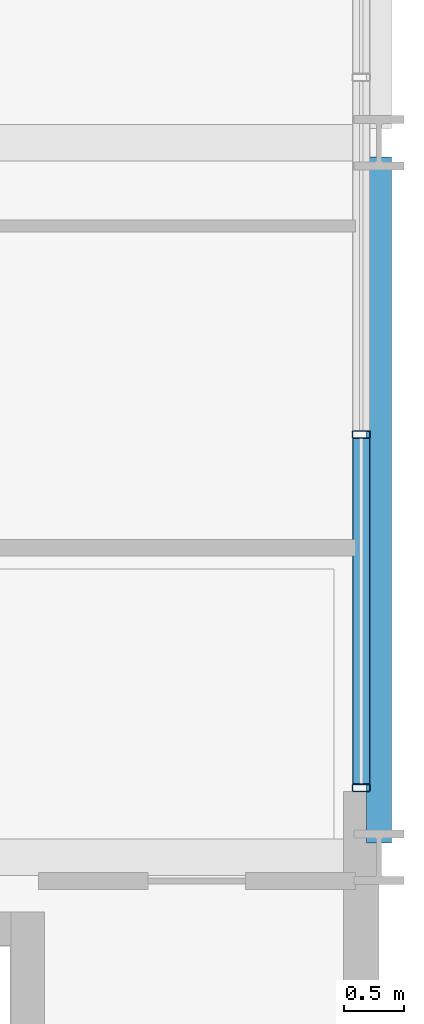
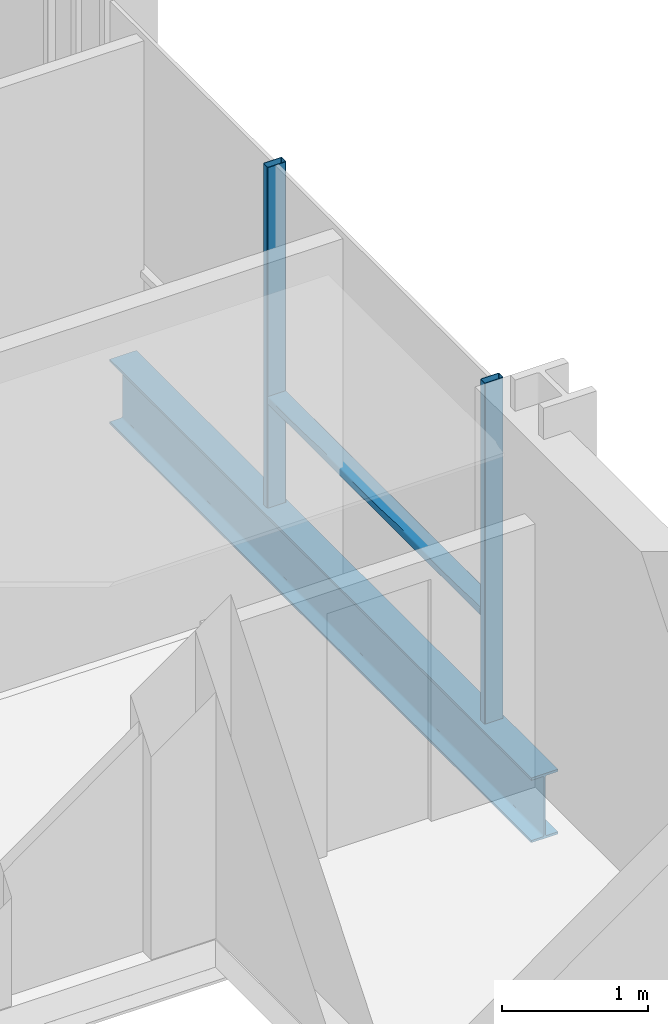
# One storey, part 15 of 41: 3 members, 1 beam, 1 element without a shape of its own.
"""IFC4 building model written with IfcOpenShell, lengths in metres."""

from ifc_helpers import new_model, si_unit, direction, frame, origin, origin_2d, place, context, subcontext, project, spatial, hollow_rectangle, i_section, extrude, material, layer, layer_set, material_profile, profile_set, type_object, element, aggregate, save


model = new_model("IFC4")

# Units and contexts
model_context = context("Model", 3, precision=1e-05, world=origin(), true_north=direction((0.0, 1.0)))
body_context = subcontext(model_context, "Body", "Model", "MODEL_VIEW")
ifc_project = project(units=[si_unit("LENGTHUNIT", "METRE"), si_unit("AREAUNIT", "SQUARE_METRE"), si_unit("VOLUMEUNIT", "CUBIC_METRE"), si_unit("PLANEANGLEUNIT", "RADIAN"), si_unit("MASSUNIT", "GRAM", prefix="KILO")], contexts=[model_context])

# Site, building, storey
site_placement = place(None, origin())
site = spatial("IfcSite", under=ifc_project, at=site_placement, CompositionType="ELEMENT")
building_placement = place(site_placement, origin())
building = spatial("IfcBuilding", under=site, at=building_placement, Name="Brevholm Reach", CompositionType="ELEMENT")
storey_placement = place(building_placement, frame((0.0, 0.0, 93.10009765625)))
storey = spatial("IfcBuildingStorey", under=building, at=storey_placement, Name="L27", CompositionType="ELEMENT", Elevation=93.10009765625)

# Beam
ifc_material_1 = material(Name="Structural Steel S355J2", Category="steel")
ifc_material_profile_1 = material_profile(ifc_material_1, i_section(OverallWidth=0.210693359375, OverallDepth=0.53955078125, WebThickness=0.01171875, FlangeThickness=0.018798828125, FilletRadius=0.0126953125, at=origin_2d()), Name="UKB 533x210x109")
ifc_profile_set_1 = profile_set([ifc_material_profile_1], Name="Structural Steel S355J2")
beam_type = type_object("IfcBeamType", Name="BM-SP539", PredefinedType="SPANDREL", material=ifc_profile_set_1)
beam_placement = place(storey_placement, frame((60.0, 10.1201171875, -0.499755859375), z_axis=(0.0, 1.0, 0.0), x_axis=(-1.0, 0.0, 0.0)))
element("IfcBeam", 1, at=beam_placement, inside=storey, type_object=beam_type, Name="L27 SP-01B Framing Beam", PredefinedType="SPANDREL", context=body_context, shape_type="SweptSolid", body=[
    extrude(i_section(OverallWidth=0.210693359375, OverallDepth=0.53955078125, WebThickness=0.01171875, FlangeThickness=0.018798828125, FilletRadius=0.0126953125, at=origin_2d()), origin(), (0.0, 0.0, 1.0), 5.759765625),
])

# Curtain wall, members
ifc_material_2 = material(Name="Dark Anodised Aluminium 6063-T6 and Solar-Control Glass", Category="aluminium")
ifc_layer = layer(ifc_material_2, 0.14990234375)
ifc_layer_set = layer_set([ifc_layer], Name="Dark Anodised Aluminium 6063-T6 and Solar-Control Glass")
curtain_wall_type = type_object("IfcCurtainWallType", Name="CW-01", PredefinedType="NOTDEFINED", material=ifc_layer_set)
curtain_wall_placement = place(storey_placement, origin())
curtain_wall = element("IfcCurtainWall", 2, at=curtain_wall_placement, inside=storey, type_object=curtain_wall_type, Name="L27 Curtain Wall CW-01", PredefinedType="NOTDEFINED")
ifc_material_3 = material(Name="Dark Anodised Aluminium 6063-T6", Category="aluminium")
ifc_material_profile_2 = material_profile(ifc_material_3, hollow_rectangle(XDim=0.06494140625, YDim=0.14990234375, WallThickness=0.0048828125, InnerFilletRadius=0.0048828125, OuterFilletRadius=0.010009765625, at=origin_2d()), Name="RHS 150x65x5")
ifc_profile_set_2 = profile_set([ifc_material_profile_2], Name="Dark Anodised Aluminium 6063-T6")
member_type_1 = type_object("IfcMemberType", Name="CWM-150", PredefinedType="MULLION", material=ifc_profile_set_2)
member_1_placement = place(storey_placement, frame((59.85009765625, 10.58251953125, 0.0), z_axis=(0.0, 0.0, 1.0), x_axis=(0.0, 1.0, 0.0)))
member_1 = element("IfcMember", 3, at=member_1_placement, type_object=member_type_1, Name="CM-150 Mullion 1", PredefinedType="MULLION", context=body_context, shape_type="SweptSolid", body=[
    extrude(hollow_rectangle(XDim=0.06494140625, YDim=0.14990234375, WallThickness=0.0048828125, InnerFilletRadius=0.0048828125, OuterFilletRadius=0.010009765625, at=origin_2d()), origin(), (0.0, 0.0, 1.0), 2.83984375),
])
member_2_placement = place(storey_placement, frame((59.85009765625, 13.550048828125, 0.0), z_axis=(0.0, 0.0, 1.0), x_axis=(0.0, 1.0, 0.0)))
member_2 = element("IfcMember", 4, at=member_2_placement, type_object=member_type_1, Name="CM-150 Mullion 2", PredefinedType="MULLION", context=body_context, shape_type="SweptSolid", body=[
    extrude(hollow_rectangle(XDim=0.06494140625, YDim=0.14990234375, WallThickness=0.0048828125, InnerFilletRadius=0.0048828125, OuterFilletRadius=0.010009765625, at=origin_2d()), origin(), (0.0, 0.0, 1.0), 2.83984375),
])
ifc_material_4 = material(Name="Dark Anodised Aluminium 6063-T6", Category="aluminium")
ifc_material_profile_3 = material_profile(ifc_material_4, hollow_rectangle(XDim=0.06494140625, YDim=0.14990234375, WallThickness=0.0048828125, InnerFilletRadius=0.0048828125, OuterFilletRadius=0.010009765625, at=origin_2d()), Name="RHS 150x65x5")
ifc_profile_set_3 = profile_set([ifc_material_profile_3], Name="Dark Anodised Aluminium 6063-T6")
member_type_2 = type_object("IfcMemberType", Name="CWT-150", PredefinedType="NOTDEFINED", material=ifc_profile_set_3)
member_3_placement = place(storey_placement, frame((59.85009765625, 10.614990234375, 0.89990234375), z_axis=(0.0, 1.0, 0.0), x_axis=(0.0, 0.0, 1.0)))
member_3 = element("IfcMember", 5, at=member_3_placement, type_object=member_type_2, Name="CT-150 Transom 1.1", ObjectType="TRANSOM", PredefinedType="USERDEFINED", context=body_context, shape_type="SweptSolid", body=[
    extrude(hollow_rectangle(XDim=0.06494140625, YDim=0.14990234375, WallThickness=0.0048828125, InnerFilletRadius=0.0048828125, OuterFilletRadius=0.010009765625, at=origin_2d()), origin(), (0.0, 0.0, 1.0), 2.902587890625),
])
aggregate(curtain_wall, [member_1, member_2, member_3])

save(model, "model.ifc")
